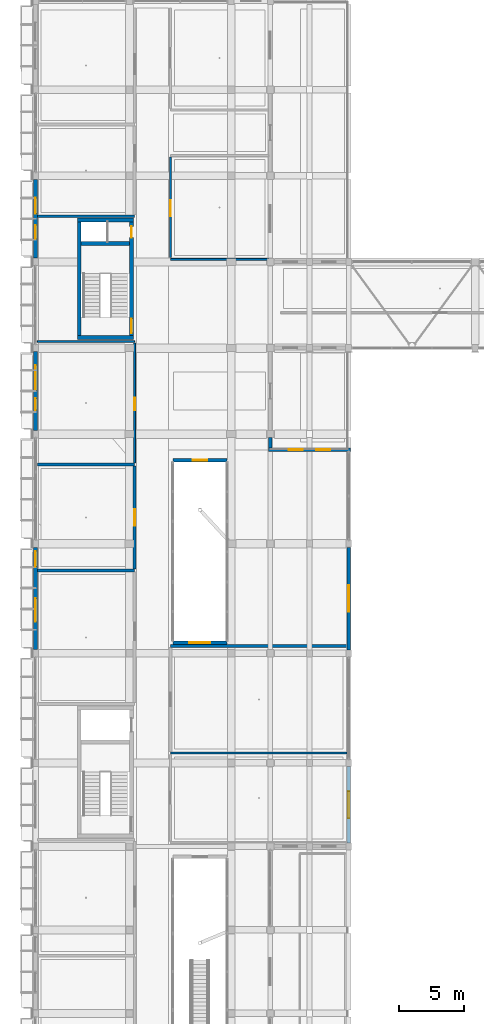
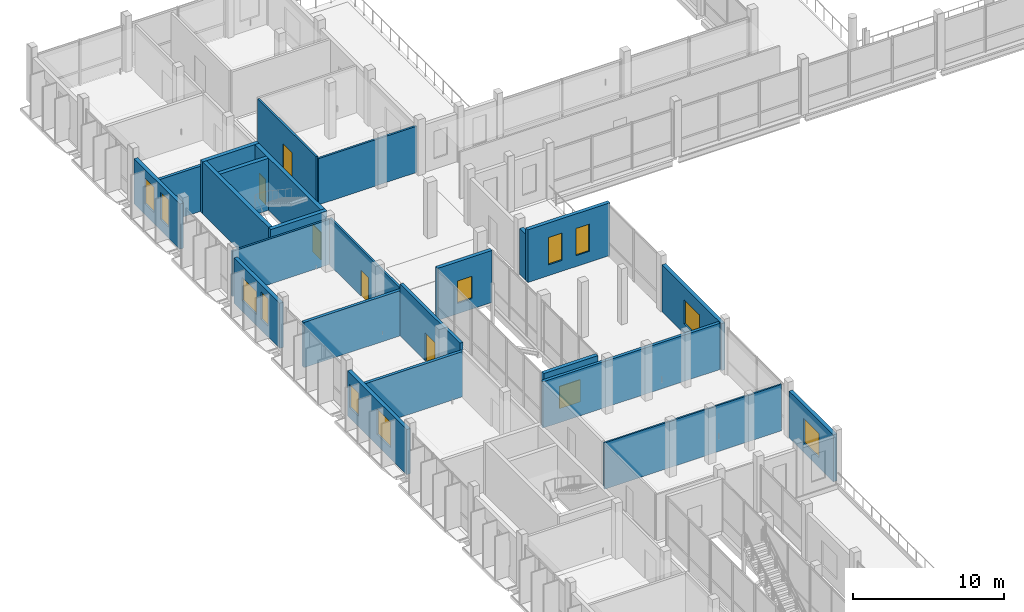
# One storey, part 58 of 95: 24 walls, 12 windows, 5 doors, 17 openings.
"""IFC4 building model written with IfcOpenShell, lengths in metres."""

from ifc_helpers import new_model, si_unit, derived_unit, direction, frame, frame_2d, origin, origin_with_axes, place, context, subcontext, project, spatial, rectangle, extrude, material, layer, layer_set, type_object, element, fill, save


model = new_model("IFC4")

# Units and contexts
model_context = context("Model", 3, precision=1e-05, world=origin(), true_north=direction((0.0, 1.0)))
body_context = subcontext(model_context, "Body", "Model", "MODEL_VIEW")
ifc_project = project(units=[si_unit("LENGTHUNIT", "METRE"), si_unit("AREAUNIT", "SQUARE_METRE"), si_unit("VOLUMEUNIT", "CUBIC_METRE"), si_unit("PLANEANGLEUNIT", "RADIAN"), si_unit("MASSUNIT", "GRAM", prefix="KILO"), derived_unit("THERMALTRANSMITTANCEUNIT", [(si_unit("POWERUNIT", "WATT"), 1), (si_unit("LENGTHUNIT", "METRE"), -2), (si_unit("THERMODYNAMICTEMPERATUREUNIT", "KELVIN"), -1)])], contexts=[model_context])

# Site, building, storey
site_placement = place(None, origin())
site = spatial("IfcSite", under=ifc_project, at=site_placement, CompositionType="ELEMENT")
building_placement = place(site_placement, origin())
building = spatial("IfcBuilding", under=site, at=building_placement, Name="Braskholm Square Health Centre", CompositionType="ELEMENT")
storey_placement = place(building_placement, frame((0.0, 0.0, 4.800048828125)))
storey = spatial("IfcBuildingStorey", under=building, at=storey_placement, Name="L02", CompositionType="ELEMENT", Elevation=4.800048828125)

# Wall
ifc_material_1 = material(Name="Acoustic gypsum board partition")
ifc_layer_1 = layer(ifc_material_1, 0.125)
ifc_layer_set_1 = layer_set([ifc_layer_1], Name="Acoustic gypsum board partition")
wall_type_1 = type_object("IfcWallType", Name="ClinicalExamPartition125", PredefinedType="PARTITIONING", material=ifc_layer_set_1)
wall_1_placement = place(storey_placement, frame((14.550048828125, 56.159912109375, 0.0), z_axis=(0.0, 0.0, 1.0), x_axis=(1.0, 0.0, 0.0)))
element("IfcWall", 1, at=wall_1_placement, inside=storey, type_object=wall_type_1, Name="Interior partition PWALL-L02-0102", PredefinedType="PARTITIONING", context=body_context, shape_type="SweptSolid", body=[
    extrude(rectangle(XDim=13.510009765625, YDim=0.125, at=frame_2d((6.7548828125, 0.0))), origin(), (0.0, 0.0, 1.0), 3.73486328125),
])

# Wall, opening, door
ifc_layer_2 = layer(ifc_material_1, 0.14990234375)
ifc_layer_set_2 = layer_set([ifc_layer_2], Name="Acoustic gypsum board partition")
wall_type_2 = type_object("IfcWallType", Name="CorridorAcousticPartition150", PredefinedType="PARTITIONING", material=ifc_layer_set_2)
wall_2_placement = place(storey_placement, frame((11.800048828125, 78.39990234375, 0.0), z_axis=(0.0, 0.0, 1.0), x_axis=(0.0, 1.0, 0.0)))
wall_2 = element("IfcWall", 2, at=wall_2_placement, inside=storey, type_object=wall_type_2, Name="Interior partition PWALL-L02-0087", PredefinedType="PARTITIONING", context=body_context, shape_type="SweptSolid", body=[
    extrude(rectangle(XDim=9.18017578125, YDim=0.14990234375, at=frame_2d((4.590087890625, 0.0))), origin(), (0.0, 0.0, 1.0), 3.794921875),
])
opening_1_placement = place(wall_2_placement, frame((4.02490234375, 0.0, 0.0)))
opening_1 = element("IfcOpeningElement", 3, at=opening_1_placement, cuts=wall_2, Name="Opening D-10", PredefinedType="OPENING", context=body_context, shape_type="SweptSolid", body=[
    extrude(rectangle(XDim=0.97998046875, YDim=2.1201171875, at=frame_2d((0.489990234375, 1.06005859375))), frame((0.0, 0.0849609375, 0.0), z_axis=(0.0, -1.0, 0.0), x_axis=(1.0, 0.0, 0.0)), (0.0, 0.0, 1.0), 0.169921875),
])
ifc_material_2 = material(Name="Architectural bronze anodised aluminium", Category="aluminium")
door_type_1 = type_object("IfcDoorType", Name="DoorUtilityStore980x2120", OperationType="NOTDEFINED", PredefinedType="DOOR", material=ifc_material_2)
door_1_placement = place(opening_1_placement, origin_with_axes())
door_1 = element("IfcDoor", 4, at=door_1_placement, inside=storey, type_object=door_type_1, Name="Interior door 0039 L02", OperationType="SINGLE_SWING_LEFT", OverallHeight=2.1201171875, OverallWidth=0.97998046875, PredefinedType="DOOR", context=body_context, shape_type="SweptSolid", body=[
    extrude(rectangle(XDim=0.97998046875, YDim=2.1201171875, at=frame_2d((0.489990234375, 1.06005859375))), frame((0.0, 0.02490234375, 0.0), z_axis=(0.0, -1.0, 0.0), x_axis=(1.0, 0.0, 0.0)), (0.0, 0.0, 1.0), 0.050048828125),
])
fill(opening_1, door_1)

# Wall
wall_3_placement = place(storey_placement, frame((4.340087890625, 87.699951171875, 0.0), z_axis=(0.0, 0.0, 1.0), x_axis=(1.0, 0.0, 0.0)))
element("IfcWall", 5, at=wall_3_placement, inside=storey, type_object=wall_type_2, Name="Interior partition PWALL-L02-0088", PredefinedType="PARTITIONING", context=body_context, shape_type="SweptSolid", body=[
    extrude(rectangle(XDim=7.4599609375, YDim=0.14990234375, at=frame_2d((3.72998046875, 0.0))), origin(), (0.0, 0.0, 1.0), 3.64501953125),
])

# Wall, opening, door
wall_4_placement = place(storey_placement, frame((14.550048828125, 94.1201171875, 0.0), z_axis=(0.0, 0.0, 1.0), x_axis=(0.0, 1.0, 0.0)))
wall_4 = element("IfcWall", 6, at=wall_4_placement, inside=storey, type_object=wall_type_2, Name="Interior partition PWALL-L02-0105", PredefinedType="PARTITIONING", context=body_context, shape_type="SweptSolid", body=[
    extrude(rectangle(XDim=7.7099609375, YDim=0.14990234375, at=frame_2d((3.85498046875, 0.0))), origin(), (0.0, 0.0, 1.0), 3.794921875),
])
opening_2_placement = place(wall_4_placement, frame((3.16796875, 0.0, 0.0)))
opening_2 = element("IfcOpeningElement", 7, at=opening_2_placement, cuts=wall_4, Name="Opening D-04", PredefinedType="OPENING", context=body_context, shape_type="SweptSolid", body=[
    extrude(rectangle(XDim=1.219970703125, YDim=2.199951171875, at=frame_2d((0.60986328125, 1.10009765625))), frame((0.0, 0.0849609375, 0.0), z_axis=(0.0, -1.0, 0.0), x_axis=(1.0, 0.0, 0.0)), (0.0, 0.0, 1.0), 0.169921875),
])
door_type_2 = type_object("IfcDoorType", Name="DoorBariatricExam1220x2200", OperationType="NOTDEFINED", PredefinedType="DOOR", material=ifc_material_2)
door_2_placement = place(opening_2_placement, frame((1.219970703125, 0.0, 0.0), z_axis=(0.0, 0.0, 1.0), x_axis=(-1.0, 0.0, 0.0)))
door_2 = element("IfcDoor", 8, at=door_2_placement, inside=storey, type_object=door_type_2, Name="Interior door 0048 L02", OperationType="SINGLE_SWING_LEFT", OverallHeight=2.199951171875, OverallWidth=1.219970703125, PredefinedType="DOOR", context=body_context, shape_type="SweptSolid", body=[
    extrude(rectangle(XDim=1.219970703125, YDim=2.199951171875, at=frame_2d((0.60986328125, 1.10009765625))), frame((0.0, 0.02490234375, 0.0), z_axis=(0.0, -1.0, 0.0), x_axis=(1.0, 0.0, 0.0)), (0.0, 0.0, 1.0), 0.050048828125),
])
fill(opening_2, door_2)

# Wall
wall_5_placement = place(storey_placement, frame((14.550048828125, 94.0, 0.0), z_axis=(0.0, 0.0, 1.0), x_axis=(1.0, 0.0, 0.0)))
element("IfcWall", 9, at=wall_5_placement, inside=storey, type_object=wall_type_2, Name="Interior partition PWALL-L02-0106", PredefinedType="PARTITIONING", context=body_context, shape_type="SweptSolid", body=[
    extrude(rectangle(XDim=7.510009765625, YDim=0.14990234375, at=frame_2d((3.7548828125, 0.0))), origin(), (0.0, 0.0, 1.0), 3.73486328125),
])

# Wall, openings, windows
ifc_material_3 = material(Name="Precast concrete C40/50 architectural white", Category="concrete")
ifc_layer_3 = layer(ifc_material_3, 0.280029296875)
ifc_layer_set_3 = layer_set([ifc_layer_3], Name="Precast concrete C40/50 architectural white")
wall_type_3 = type_object("IfcWallType", Name="ExteriorPrecastSpandrelWall280", PredefinedType="SOLIDWALL", material=ifc_layer_set_3)
wall_6_placement = place(storey_placement, frame((4.199951171875, 71.91796875, 0.0), z_axis=(0.0, 0.0, 1.0), x_axis=(0.0, -1.0, 0.0)))
wall_6 = element("IfcWall", 10, at=wall_6_placement, inside=storey, type_object=wall_type_3, Name="Exterior wall EWALL-L02-0016", PredefinedType="SOLIDWALL", context=body_context, shape_type="SweptSolid", body=[
    extrude(rectangle(XDim=7.8359375, YDim=0.280029296875, at=frame_2d((3.91796875, 0.0))), origin(), (0.0, 0.0, 1.0), 3.64990234375),
])
opening_3_placement = place(wall_6_placement, frame((0.282958984375, 0.0, 0.8798828125)))
opening_3 = element("IfcOpeningElement", 11, at=opening_3_placement, cuts=wall_6, Name="Opening WN-07", PredefinedType="OPENING", context=body_context, shape_type="SweptSolid", body=[
    extrude(rectangle(XDim=1.199951171875, YDim=1.85009765625, at=frame_2d((0.60009765625, 0.925048828125))), frame((0.0, 0.14990234375, 0.0), z_axis=(0.0, -1.0, 0.0), x_axis=(1.0, 0.0, 0.0)), (0.0, 0.0, 1.0), 0.300048828125),
])
opening_4_placement = place(wall_6_placement, frame((3.9130859375, 0.0, 0.8798828125)))
opening_4 = element("IfcOpeningElement", 12, at=opening_4_placement, cuts=wall_6, Name="Opening WN-16", PredefinedType="OPENING", context=body_context, shape_type="SweptSolid", body=[
    extrude(rectangle(XDim=1.800048828125, YDim=2.050048828125, at=frame_2d((0.89990234375, 1.02490234375))), frame((0.0, 0.14990234375, 0.0), z_axis=(0.0, -1.0, 0.0), x_axis=(1.0, 0.0, 0.0)), (0.0, 0.0, 1.0), 0.300048828125),
])
ifc_material_4 = material(Name="Low-E triple insulating glass (VLT 0.64)", Category="glass")
window_type_1 = type_object("IfcWindowType", Name="WinClinicalBay1200x1850", PartitioningType="SINGLE_PANEL", PredefinedType="WINDOW", material=ifc_material_4)
window_1_placement = place(opening_3_placement, origin_with_axes())
window_1 = element("IfcWindow", 13, at=window_1_placement, inside=storey, type_object=window_type_1, Name="Exterior window 0028 L02", OverallHeight=1.85009765625, OverallWidth=1.199951171875, PartitioningType="SINGLE_PANEL", PredefinedType="WINDOW", context=body_context, shape_type="SweptSolid", body=[
    extrude(rectangle(XDim=1.199951171875, YDim=1.85009765625, at=frame_2d((0.60009765625, 0.925048828125))), frame((0.0, 0.030029296875, 0.0), z_axis=(0.0, -1.0, 0.0), x_axis=(1.0, 0.0, 0.0)), (0.0, 0.0, 1.0), 0.06005859375),
])
fill(opening_3, window_1)
window_type_2 = type_object("IfcWindowType", Name="WinClinicalTall1800x2050", PartitioningType="SINGLE_PANEL", PredefinedType="WINDOW", material=ifc_material_4)
window_2_placement = place(opening_4_placement, origin_with_axes())
window_2 = element("IfcWindow", 14, at=window_2_placement, inside=storey, type_object=window_type_2, Name="Exterior window 0029 L02", OverallHeight=2.050048828125, OverallWidth=1.800048828125, PartitioningType="SINGLE_PANEL", PredefinedType="WINDOW", context=body_context, shape_type="SweptSolid", body=[
    extrude(rectangle(XDim=1.800048828125, YDim=2.050048828125, at=frame_2d((0.89990234375, 1.02490234375))), frame((0.0, 0.030029296875, 0.0), z_axis=(0.0, -1.0, 0.0), x_axis=(1.0, 0.0, 0.0)), (0.0, 0.0, 1.0), 0.06005859375),
])
fill(opening_4, window_2)

wall_7_placement = place(storey_placement, frame((4.199951171875, 86.91796875, 0.0), z_axis=(0.0, 0.0, 1.0), x_axis=(0.0, -1.0, 0.0)))
wall_7 = element("IfcWall", 15, at=wall_7_placement, inside=storey, type_object=wall_type_3, Name="Exterior wall EWALL-L02-0017", PredefinedType="SOLIDWALL", context=body_context, shape_type="SweptSolid", body=[
    extrude(rectangle(XDim=6.035888671875, YDim=0.280029296875, at=frame_2d((3.01806640625, 0.0))), origin(), (0.0, 0.0, 1.0), 3.64990234375),
])
opening_5_placement = place(wall_7_placement, frame((1.037109375, 0.0, 0.8798828125)))
opening_5 = element("IfcOpeningElement", 16, at=opening_5_placement, cuts=wall_7, Name="Opening WN-12", PredefinedType="OPENING", context=body_context, shape_type="SweptSolid", body=[
    extrude(rectangle(XDim=1.949951171875, YDim=1.85009765625, at=frame_2d((0.97509765625, 0.925048828125))), frame((0.0, 0.14990234375, 0.0), z_axis=(0.0, -1.0, 0.0), x_axis=(1.0, 0.0, 0.0)), (0.0, 0.0, 1.0), 0.300048828125),
])
opening_6_placement = place(wall_7_placement, frame((3.573974609375, 0.0, 0.8798828125)))
opening_6 = element("IfcOpeningElement", 17, at=opening_6_placement, cuts=wall_7, Name="Opening WN-01", PredefinedType="OPENING", context=body_context, shape_type="SweptSolid", body=[
    extrude(rectangle(XDim=0.89990234375, YDim=2.199951171875, at=frame_2d((0.449951171875, 1.10009765625))), frame((0.0, 0.14990234375, 0.0), z_axis=(0.0, -1.0, 0.0), x_axis=(1.0, 0.0, 0.0)), (0.0, 0.0, 1.0), 0.300048828125),
])
window_type_3 = type_object("IfcWindowType", Name="WinArtDecoLancet900x2200", PartitioningType="SINGLE_PANEL", PredefinedType="WINDOW", material=ifc_material_4)
window_3_placement = place(opening_6_placement, origin_with_axes())
window_3 = element("IfcWindow", 18, at=window_3_placement, inside=storey, type_object=window_type_3, Name="Exterior window 0031 L02", OverallHeight=2.199951171875, OverallWidth=0.89990234375, PartitioningType="SINGLE_PANEL", PredefinedType="WINDOW", context=body_context, shape_type="SweptSolid", body=[
    extrude(rectangle(XDim=0.89990234375, YDim=2.199951171875, at=frame_2d((0.449951171875, 1.10009765625))), frame((0.0, 0.030029296875, 0.0), z_axis=(0.0, -1.0, 0.0), x_axis=(1.0, 0.0, 0.0)), (0.0, 0.0, 1.0), 0.06005859375),
])
fill(opening_6, window_3)
window_type_4 = type_object("IfcWindowType", Name="WinClinicalBay1950x1850", PartitioningType="SINGLE_PANEL", PredefinedType="WINDOW", material=ifc_material_4)
window_4_placement = place(opening_5_placement, origin_with_axes())
window_4 = element("IfcWindow", 19, at=window_4_placement, inside=storey, type_object=window_type_4, Name="Exterior window 0030 L02", OverallHeight=1.85009765625, OverallWidth=1.949951171875, PartitioningType="SINGLE_PANEL", PredefinedType="WINDOW", context=body_context, shape_type="SweptSolid", body=[
    extrude(rectangle(XDim=1.949951171875, YDim=1.85009765625, at=frame_2d((0.97509765625, 0.925048828125))), frame((0.0, 0.030029296875, 0.0), z_axis=(0.0, -1.0, 0.0), x_axis=(1.0, 0.0, 0.0)), (0.0, 0.0, 1.0), 0.06005859375),
])
fill(opening_5, window_4)

wall_8_placement = place(storey_placement, frame((4.199951171875, 100.117919921875, 0.0), z_axis=(0.0, 0.0, 1.0), x_axis=(0.0, -1.0, 0.0)))
wall_8 = element("IfcWall", 20, at=wall_8_placement, inside=storey, type_object=wall_type_3, Name="Exterior wall EWALL-L02-0018", PredefinedType="SOLIDWALL", context=body_context, shape_type="SweptSolid", body=[
    extrude(rectangle(XDim=6.035888671875, YDim=0.280029296875, at=frame_2d((3.01806640625, 0.0))), origin(), (0.0, 0.0, 1.0), 3.64990234375),
])
opening_7_placement = place(wall_8_placement, frame((1.412109375, 0.0, 0.8798828125)))
opening_7 = element("IfcOpeningElement", 21, at=opening_7_placement, cuts=wall_8, Name="Opening WN-13", PredefinedType="OPENING", context=body_context, shape_type="SweptSolid", body=[
    extrude(rectangle(XDim=1.199951171875, YDim=2.050048828125, at=frame_2d((0.60009765625, 1.02490234375))), frame((0.0, 0.14990234375, 0.0), z_axis=(0.0, -1.0, 0.0), x_axis=(1.0, 0.0, 0.0)), (0.0, 0.0, 1.0), 0.300048828125),
])
opening_8_placement = place(wall_8_placement, frame((3.4990234375, 0.0, 0.8798828125)))
opening_8 = element("IfcOpeningElement", 22, at=opening_8_placement, cuts=wall_8, Name="Opening WN-02", PredefinedType="OPENING", context=body_context, shape_type="SweptSolid", body=[
    extrude(rectangle(XDim=1.050048828125, YDim=2.199951171875, at=frame_2d((0.52490234375, 1.10009765625))), frame((0.0, 0.14990234375, 0.0), z_axis=(0.0, -1.0, 0.0), x_axis=(1.0, 0.0, 0.0)), (0.0, 0.0, 1.0), 0.300048828125),
])
window_type_5 = type_object("IfcWindowType", Name="WinArtDecoLancet1050x2200", PartitioningType="SINGLE_PANEL", PredefinedType="WINDOW", material=ifc_material_4)
window_5_placement = place(opening_8_placement, origin_with_axes())
window_5 = element("IfcWindow", 23, at=window_5_placement, inside=storey, type_object=window_type_5, Name="Exterior window 0033 L02", OverallHeight=2.199951171875, OverallWidth=1.050048828125, PartitioningType="SINGLE_PANEL", PredefinedType="WINDOW", context=body_context, shape_type="SweptSolid", body=[
    extrude(rectangle(XDim=1.050048828125, YDim=2.199951171875, at=frame_2d((0.52490234375, 1.10009765625))), frame((0.0, 0.030029296875, 0.0), z_axis=(0.0, -1.0, 0.0), x_axis=(1.0, 0.0, 0.0)), (0.0, 0.0, 1.0), 0.06005859375),
])
fill(opening_8, window_5)
window_type_6 = type_object("IfcWindowType", Name="WinClinicalTall1200x2050", PartitioningType="SINGLE_PANEL", PredefinedType="WINDOW", material=ifc_material_4)
window_6_placement = place(opening_7_placement, origin_with_axes())
window_6 = element("IfcWindow", 24, at=window_6_placement, inside=storey, type_object=window_type_6, Name="Exterior window 0032 L02", OverallHeight=2.050048828125, OverallWidth=1.199951171875, PartitioningType="SINGLE_PANEL", PredefinedType="WINDOW", context=body_context, shape_type="SweptSolid", body=[
    extrude(rectangle(XDim=1.199951171875, YDim=2.050048828125, at=frame_2d((0.60009765625, 1.02490234375))), frame((0.0, 0.030029296875, 0.0), z_axis=(0.0, -1.0, 0.0), x_axis=(1.0, 0.0, 0.0)), (0.0, 0.0, 1.0), 0.06005859375),
])
fill(opening_7, window_6)

# Wall, opening, window
wall_9_placement = place(storey_placement, frame((28.199951171875, 49.27197265625, 0.0), z_axis=(0.0, 0.0, 1.0), x_axis=(0.0, 1.0, 0.0)))
wall_9 = element("IfcWall", 25, at=wall_9_placement, inside=storey, type_object=wall_type_3, Name="Exterior wall EWALL-L02-0112", PredefinedType="SOLIDWALL", context=body_context, shape_type="SweptSolid", body=[
    extrude(rectangle(XDim=5.85595703125, YDim=0.280029296875, at=frame_2d((2.927978515625, 0.0))), origin(), (0.0, 0.0, 1.0), 3.7900390625),
])
opening_9_placement = place(wall_9_placement, frame((1.903076171875, 0.0, 0.800048828125)))
opening_9 = element("IfcOpeningElement", 26, at=opening_9_placement, cuts=wall_9, Name="Opening WN-25", PredefinedType="OPENING", context=body_context, shape_type="SweptSolid", body=[
    extrude(rectangle(XDim=2.050048828125, YDim=1.949951171875, at=frame_2d((1.02490234375, 0.97509765625))), frame((0.0, 0.14990234375, 0.0), z_axis=(0.0, -1.0, 0.0), x_axis=(1.0, 0.0, 0.0)), (0.0, 0.0, 1.0), 0.300048828125),
])
window_type_7 = type_object("IfcWindowType", Name="WinValleyTerrace2050x1950", PartitioningType="SINGLE_PANEL", PredefinedType="WINDOW", material=ifc_material_4)
window_7_placement = place(opening_9_placement, origin_with_axes())
window_7 = element("IfcWindow", 27, at=window_7_placement, inside=storey, type_object=window_type_7, Name="Exterior window 0182 L02", OverallHeight=1.949951171875, OverallWidth=2.050048828125, PartitioningType="SINGLE_PANEL", PredefinedType="WINDOW", context=body_context, shape_type="SweptSolid", body=[
    extrude(rectangle(XDim=2.050048828125, YDim=1.949951171875, at=frame_2d((1.02490234375, 0.97509765625))), frame((0.0, 0.030029296875, 0.0), z_axis=(0.0, -1.0, 0.0), x_axis=(1.0, 0.0, 0.0)), (0.0, 0.0, 1.0), 0.06005859375),
])
fill(opening_9, window_7)

wall_10_placement = place(storey_placement, frame((28.199951171875, 64.072021484375, 0.0), z_axis=(0.0, 0.0, 1.0), x_axis=(0.0, 1.0, 0.0)))
wall_10 = element("IfcWall", 28, at=wall_10_placement, inside=storey, type_object=wall_type_3, Name="Exterior wall EWALL-L02-0113", PredefinedType="SOLIDWALL", context=body_context, shape_type="SweptSolid", body=[
    extrude(rectangle(XDim=7.85595703125, YDim=0.280029296875, at=frame_2d((3.927978515625, 0.0))), origin(), (0.0, 0.0, 1.0), 3.7900390625),
])
opening_10_placement = place(wall_10_placement, frame((2.903076171875, 0.0, 0.800048828125)))
opening_10 = element("IfcOpeningElement", 29, at=opening_10_placement, cuts=wall_10, Name="Opening WN-25", PredefinedType="OPENING", context=body_context, shape_type="SweptSolid", body=[
    extrude(rectangle(XDim=2.050048828125, YDim=1.949951171875, at=frame_2d((1.02490234375, 0.97509765625))), frame((0.0, 0.14990234375, 0.0), z_axis=(0.0, -1.0, 0.0), x_axis=(1.0, 0.0, 0.0)), (0.0, 0.0, 1.0), 0.300048828125),
])
window_8_placement = place(opening_10_placement, origin_with_axes())
window_8 = element("IfcWindow", 30, at=window_8_placement, inside=storey, type_object=window_type_7, Name="Exterior window 0183 L02", OverallHeight=1.949951171875, OverallWidth=2.050048828125, PartitioningType="SINGLE_PANEL", PredefinedType="WINDOW", context=body_context, shape_type="SweptSolid", body=[
    extrude(rectangle(XDim=2.050048828125, YDim=1.949951171875, at=frame_2d((1.02490234375, 0.97509765625))), frame((0.0, 0.030029296875, 0.0), z_axis=(0.0, -1.0, 0.0), x_axis=(1.0, 0.0, 0.0)), (0.0, 0.0, 1.0), 0.06005859375),
])
fill(opening_10, window_8)

# Wall
wall_11_placement = place(storey_placement, frame((22.199951171875, 79.5419921875, 0.0), z_axis=(0.0, 0.0, 1.0), x_axis=(0.0, 1.0, 0.0)))
element("IfcWall", 31, at=wall_11_placement, inside=storey, type_object=wall_type_3, Name="Exterior wall EWALL-L02-0114", PredefinedType="SOLIDWALL", context=body_context, shape_type="SweptSolid", body=[
    extrude(rectangle(XDim=0.781005859375, YDim=0.280029296875, at=frame_2d((0.390625, 0.0))), origin(), (0.0, 0.0, 1.0), 3.739990234375),
])

# Wall, openings, windows
wall_12_placement = place(storey_placement, frame((28.340087890625, 79.39990234375, 0.0), z_axis=(0.0, 0.0, 1.0), x_axis=(-1.0, 0.0, 0.0)))
wall_12 = element("IfcWall", 32, at=wall_12_placement, inside=storey, type_object=wall_type_3, Name="Exterior wall EWALL-L02-0219", PredefinedType="SOLIDWALL", context=body_context, shape_type="SweptSolid", body=[
    extrude(rectangle(XDim=6.280029296875, YDim=0.280029296875, at=frame_2d((3.14013671875, 0.0))), origin(), (0.0, 0.0, 1.0), 4.25),
])
opening_11_placement = place(wall_12_placement, frame((1.568115234375, 0.0, 0.8798828125)))
opening_11 = element("IfcOpeningElement", 33, at=opening_11_placement, cuts=wall_12, Name="Opening WN-02", PredefinedType="OPENING", context=body_context, shape_type="SweptSolid", body=[
    extrude(rectangle(XDim=1.050048828125, YDim=2.199951171875, at=frame_2d((0.52490234375, 1.10009765625))), frame((0.0, 0.14990234375, 0.0), z_axis=(0.0, -1.0, 0.0), x_axis=(1.0, 0.0, 0.0)), (0.0, 0.0, 1.0), 0.300048828125),
])
opening_12_placement = place(wall_12_placement, frame((3.662109375, 0.0, 0.8798828125)))
opening_12 = element("IfcOpeningElement", 34, at=opening_12_placement, cuts=wall_12, Name="Opening WN-02", PredefinedType="OPENING", context=body_context, shape_type="SweptSolid", body=[
    extrude(rectangle(XDim=1.050048828125, YDim=2.199951171875, at=frame_2d((0.52490234375, 1.10009765625))), frame((0.0, 0.14990234375, 0.0), z_axis=(0.0, -1.0, 0.0), x_axis=(1.0, 0.0, 0.0)), (0.0, 0.0, 1.0), 0.300048828125),
])
window_9_placement = place(opening_11_placement, origin_with_axes())
window_9 = element("IfcWindow", 35, at=window_9_placement, inside=storey, type_object=window_type_5, Name="Exterior window 0270 L02", OverallHeight=2.199951171875, OverallWidth=1.050048828125, PartitioningType="SINGLE_PANEL", PredefinedType="WINDOW", context=body_context, shape_type="SweptSolid", body=[
    extrude(rectangle(XDim=1.050048828125, YDim=2.199951171875, at=frame_2d((0.52490234375, 1.10009765625))), frame((0.0, 0.030029296875, 0.0), z_axis=(0.0, -1.0, 0.0), x_axis=(1.0, 0.0, 0.0)), (0.0, 0.0, 1.0), 0.06005859375),
])
fill(opening_11, window_9)
window_10_placement = place(opening_12_placement, origin_with_axes())
window_10 = element("IfcWindow", 36, at=window_10_placement, inside=storey, type_object=window_type_5, Name="Exterior window 0271 L02", OverallHeight=2.199951171875, OverallWidth=1.050048828125, PartitioningType="SINGLE_PANEL", PredefinedType="WINDOW", context=body_context, shape_type="SweptSolid", body=[
    extrude(rectangle(XDim=1.050048828125, YDim=2.199951171875, at=frame_2d((0.52490234375, 1.10009765625))), frame((0.0, 0.030029296875, 0.0), z_axis=(0.0, -1.0, 0.0), x_axis=(1.0, 0.0, 0.0)), (0.0, 0.0, 1.0), 0.06005859375),
])
fill(opening_12, window_10)

# Wall, opening, window
wall_13_placement = place(storey_placement, frame((18.865966796875, 64.60009765625, 0.0), z_axis=(0.0, 0.0, 1.0), x_axis=(-1.0, 0.0, 0.0)))
wall_13 = element("IfcWall", 37, at=wall_13_placement, inside=storey, type_object=wall_type_3, Name="Exterior wall EWALL-L02-0297", PredefinedType="SOLIDWALL", context=body_context, shape_type="SweptSolid", body=[
    extrude(rectangle(XDim=4.132080078125, YDim=0.280029296875, at=frame_2d((2.06591796875, 0.0))), origin(), (0.0, 0.0, 1.0), 4.199951171875),
])
opening_13_placement = place(wall_13_placement, frame((1.26611328125, 0.0, 0.85009765625)))
opening_13 = element("IfcOpeningElement", 38, at=opening_13_placement, cuts=wall_13, Name="Opening WN-27", PredefinedType="OPENING", context=body_context, shape_type="SweptSolid", body=[
    extrude(rectangle(XDim=1.60009765625, YDim=1.800048828125, at=frame_2d((0.800048828125, 0.89990234375))), frame((0.0, 0.14990234375, 0.0), z_axis=(0.0, -1.0, 0.0), x_axis=(1.0, 0.0, 0.0)), (0.0, 0.0, 1.0), 0.300048828125),
])
window_type_8 = type_object("IfcWindowType", Name="WinLightCourt1600x1800", PartitioningType="SINGLE_PANEL", PredefinedType="WINDOW", material=ifc_material_4)
window_11_placement = place(opening_13_placement, origin_with_axes())
window_11 = element("IfcWindow", 39, at=window_11_placement, inside=storey, type_object=window_type_8, Name="Exterior window 0343 L02", OverallHeight=1.800048828125, OverallWidth=1.60009765625, PartitioningType="SINGLE_PANEL", PredefinedType="WINDOW", context=body_context, shape_type="SweptSolid", body=[
    extrude(rectangle(XDim=1.60009765625, YDim=1.800048828125, at=frame_2d((0.800048828125, 0.89990234375))), frame((0.0, 0.030029296875, 0.0), z_axis=(0.0, -1.0, 0.0), x_axis=(1.0, 0.0, 0.0)), (0.0, 0.0, 1.0), 0.06005859375),
])
fill(opening_13, window_11)

wall_14_placement = place(storey_placement, frame((14.73388671875, 78.60009765625, 0.0), z_axis=(0.0, 0.0, 1.0), x_axis=(1.0, 0.0, 0.0)))
wall_14 = element("IfcWall", 40, at=wall_14_placement, inside=storey, type_object=wall_type_3, Name="Exterior wall EWALL-L02-0298", PredefinedType="SOLIDWALL", context=body_context, shape_type="SweptSolid", body=[
    extrude(rectangle(XDim=4.132080078125, YDim=0.280029296875, at=frame_2d((2.06591796875, 0.0))), origin(), (0.0, 0.0, 1.0), 4.199951171875),
])
opening_14_placement = place(wall_14_placement, frame((1.51611328125, 0.0, 0.85009765625)))
opening_14 = element("IfcOpeningElement", 41, at=opening_14_placement, cuts=wall_14, Name="Opening WN-26", PredefinedType="OPENING", context=body_context, shape_type="SweptSolid", body=[
    extrude(rectangle(XDim=1.10009765625, YDim=1.800048828125, at=frame_2d((0.550048828125, 0.89990234375))), frame((0.0, 0.14990234375, 0.0), z_axis=(0.0, -1.0, 0.0), x_axis=(1.0, 0.0, 0.0)), (0.0, 0.0, 1.0), 0.300048828125),
])
window_type_9 = type_object("IfcWindowType", Name="WinLightCourt1100x1800", PartitioningType="SINGLE_PANEL", PredefinedType="WINDOW", material=ifc_material_4)
window_12_placement = place(opening_14_placement, origin_with_axes())
window_12 = element("IfcWindow", 42, at=window_12_placement, inside=storey, type_object=window_type_9, Name="Exterior window 0344 L02", OverallHeight=1.800048828125, OverallWidth=1.10009765625, PartitioningType="SINGLE_PANEL", PredefinedType="WINDOW", context=body_context, shape_type="SweptSolid", body=[
    extrude(rectangle(XDim=1.10009765625, YDim=1.800048828125, at=frame_2d((0.550048828125, 0.89990234375))), frame((0.0, 0.030029296875, 0.0), z_axis=(0.0, -1.0, 0.0), x_axis=(1.0, 0.0, 0.0)), (0.0, 0.0, 1.0), 0.06005859375),
])
fill(opening_14, window_12)

# Wall
ifc_material_5 = material(Name="Fire-rated gypsum board barrier")
ifc_layer_4 = layer(ifc_material_5, 0.22509765625)
ifc_layer_set_4 = layer_set([ifc_layer_4], Name="Fire-rated gypsum board barrier")
wall_type_4 = type_object("IfcWallType", Name="ImagingShieldedWall225", PredefinedType="SOLIDWALL", material=ifc_layer_set_4)
wall_15_placement = place(storey_placement, frame((4.340087890625, 70.139892578125, 0.0), z_axis=(0.0, 0.0, 1.0), x_axis=(1.0, 0.0, 0.0)))
element("IfcWall", 43, at=wall_15_placement, inside=storey, type_object=wall_type_4, Name="Interior partition PWALL-L02-0083", PredefinedType="SOLIDWALL", context=body_context, shape_type="SweptSolid", body=[
    extrude(rectangle(XDim=7.4599609375, YDim=0.22509765625, at=frame_2d((3.72998046875, 0.0))), origin(), (0.0, 0.0, 1.0), 3.64501953125),
])

# Wall, opening, door
wall_16_placement = place(storey_placement, frame((11.800048828125, 70.260009765625, 0.0), z_axis=(0.0, 0.0, 1.0), x_axis=(0.0, 1.0, 0.0)))
wall_16 = element("IfcWall", 44, at=wall_16_placement, inside=storey, type_object=wall_type_4, Name="Interior partition PWALL-L02-0085", PredefinedType="SOLIDWALL", context=body_context, shape_type="SweptSolid", body=[
    extrude(rectangle(XDim=7.89990234375, YDim=0.22509765625, at=frame_2d((3.949951171875, 0.0))), origin(), (0.0, 0.0, 1.0), 4.195068359375),
])
opening_15_placement = place(wall_16_placement, frame((3.31005859375, 0.0, 0.0)))
opening_15 = element("IfcOpeningElement", 45, at=opening_15_placement, cuts=wall_16, Name="Opening D-20", PredefinedType="OPENING", context=body_context, shape_type="SweptSolid", body=[
    extrude(rectangle(XDim=1.280029296875, YDim=2.25, at=frame_2d((0.64013671875, 1.125))), frame((0.0, 0.12255859375, 0.0), z_axis=(0.0, -1.0, 0.0), x_axis=(1.0, 0.0, 0.0)), (0.0, 0.0, 1.0), 0.2451171875),
])
door_type_3 = type_object("IfcDoorType", Name="DoorLeadXRay1280x2250", OperationType="NOTDEFINED", PredefinedType="DOOR", material=ifc_material_2)
door_3_placement = place(opening_15_placement, origin_with_axes())
door_3 = element("IfcDoor", 46, at=door_3_placement, inside=storey, type_object=door_type_3, Name="Interior door 0038 L02", OperationType="SINGLE_SWING_RIGHT", OverallHeight=2.25, OverallWidth=1.280029296875, PredefinedType="DOOR", context=body_context, shape_type="SweptSolid", body=[
    extrude(rectangle(XDim=1.280029296875, YDim=2.25, at=frame_2d((0.64013671875, 1.125))), frame((0.0, 0.02490234375, 0.0), z_axis=(0.0, -1.0, 0.0), x_axis=(1.0, 0.0, 0.0)), (0.0, 0.0, 1.0), 0.050048828125),
])
fill(opening_15, door_3)

# Walls
for number, where, z_axis, x_axis, name in (
    (47, (4.340087890625, 78.280029296875, 0.0), (0.0, 0.0, 1.0), (1.0, 0.0, 0.0), "Interior partition PWALL-L02-0086"),
    (48, (4.340087890625, 97.300048828125, 0.0), (0.0, 0.0, 1.0), (1.0, 0.0, 0.0), "Interior partition PWALL-L02-0091"),
):
    element("IfcWall", number, at=place(storey_placement, frame(where, z_axis=z_axis, x_axis=x_axis)), inside=storey, type_object=wall_type_4, Name=name, PredefinedType="SOLIDWALL", context=body_context, shape_type="SweptSolid", body=[
        extrude(rectangle(XDim=7.4599609375, YDim=0.22509765625, at=frame_2d((3.72998046875, 0.0))), origin(), (0.0, 0.0, 1.0), 3.64501953125),
    ])
wall_17_placement = place(storey_placement, frame((14.550048828125, 64.35009765625, 0.0), z_axis=(0.0, 0.0, 1.0), x_axis=(1.0, 0.0, 0.0)))
element("IfcWall", 49, at=wall_17_placement, inside=storey, type_object=wall_type_4, Name="Interior partition PWALL-L02-0104", PredefinedType="SOLIDWALL", context=body_context, shape_type="SweptSolid", body=[
    extrude(rectangle(XDim=13.510009765625, YDim=0.22509765625, at=frame_2d((6.7548828125, 0.0))), origin(), (0.0, 0.0, 1.0), 3.73486328125),
])
ifc_material_6 = material(Name="Concrete C40/50 (f'c = 40 MPa)", Category="concrete")
ifc_layer_5 = layer(ifc_material_6, 0.300048828125)
ifc_layer_set_5 = layer_set([ifc_layer_5], Name="Concrete C40/50 (f'c = 40 MPa)")
wall_type_5 = type_object("IfcWallType", Name="ShearCoreWall300", PredefinedType="SHEAR", material=ifc_layer_set_5)
for number, where, z_axis, x_axis, name in (
    (50, (7.39990234375, 88.0, 0.0), (0.0, 0.0, 1.0), (1.0, 0.0, 0.0), "CWALL-K3-L02 south wall"),
    (51, (11.699951171875, 97.0, 0.0), (0.0, 0.0, 1.0), (-1.0, 0.0, 0.0), "CWALL-K3-L02 north wall"),
):
    element("IfcWall", number, at=place(storey_placement, frame(where, z_axis=z_axis, x_axis=x_axis)), inside=storey, type_object=wall_type_5, Name=name, PredefinedType="SHEAR", context=body_context, shape_type="SweptSolid", body=[
        extrude(rectangle(XDim=4.300048828125, YDim=0.300048828125, at=frame_2d((2.14990234375, 0.0))), origin(), (0.0, 0.0, 1.0), 4.199951171875),
    ])
wall_18_placement = place(storey_placement, frame((7.550048828125, 96.85009765625, 0.0), z_axis=(0.0, 0.0, 1.0), x_axis=(0.0, -1.0, 0.0)))
element("IfcWall", 52, at=wall_18_placement, inside=storey, type_object=wall_type_5, Name="CWALL-K3-L02 west wall", PredefinedType="SHEAR", context=body_context, shape_type="SweptSolid", body=[
    extrude(rectangle(XDim=8.7001953125, YDim=0.300048828125, at=frame_2d((4.35009765625, 0.0))), origin(), (0.0, 0.0, 1.0), 4.199951171875),
])

# Wall, openings, doors
wall_19_placement = place(storey_placement, frame((11.550048828125, 88.14990234375, 0.0), z_axis=(0.0, 0.0, 1.0), x_axis=(0.0, 1.0, 0.0)))
wall_19 = element("IfcWall", 53, at=wall_19_placement, inside=storey, type_object=wall_type_5, Name="CWALL-K3-L02 east wall", PredefinedType="SHEAR", context=body_context, shape_type="SweptSolid", body=[
    extrude(rectangle(XDim=8.7001953125, YDim=0.300048828125, at=frame_2d((4.35009765625, 0.0))), origin(), (0.0, 0.0, 1.0), 4.199951171875),
])
opening_16_placement = place(wall_19_placement, frame((0.199951171875, 0.0, 0.0)))
opening_16 = element("IfcOpeningElement", 54, at=opening_16_placement, cuts=wall_19, Name="Opening D-22", PredefinedType="OPENING", context=body_context, shape_type="SweptSolid", body=[
    extrude(rectangle(XDim=1.10009765625, YDim=2.199951171875, at=frame_2d((0.550048828125, 1.10009765625))), frame((0.0, 0.16015625, 0.0), z_axis=(0.0, -1.0, 0.0), x_axis=(1.0, 0.0, 0.0)), (0.0, 0.0, 1.0), 0.320068359375),
])
opening_17_placement = place(wall_19_placement, frame((7.52001953125, 0.0, 0.0)))
opening_17 = element("IfcOpeningElement", 55, at=opening_17_placement, cuts=wall_19, Name="Opening D-24", PredefinedType="OPENING", context=body_context, shape_type="SweptSolid", body=[
    extrude(rectangle(XDim=0.860107421875, YDim=2.050048828125, at=frame_2d((0.43017578125, 1.02490234375))), frame((0.0, 0.16015625, 0.0), z_axis=(0.0, -1.0, 0.0), x_axis=(1.0, 0.0, 0.0)), (0.0, 0.0, 1.0), 0.320068359375),
])
door_type_4 = type_object("IfcDoorType", Name="DoorRiserShaft860x2050", OperationType="NOTDEFINED", PredefinedType="DOOR", material=ifc_material_2)
door_4_placement = place(opening_17_placement, origin_with_axes())
door_4 = element("IfcDoor", 56, at=door_4_placement, inside=storey, type_object=door_type_4, Name="Core K3 service riser fire door L02", OperationType="SINGLE_SWING_RIGHT", OverallHeight=2.050048828125, OverallWidth=0.860107421875, PredefinedType="DOOR", context=body_context, shape_type="SweptSolid", body=[
    extrude(rectangle(XDim=0.860107421875, YDim=2.050048828125, at=frame_2d((0.43017578125, 1.02490234375))), frame((0.0, 0.02490234375, 0.0), z_axis=(0.0, -1.0, 0.0), x_axis=(1.0, 0.0, 0.0)), (0.0, 0.0, 1.0), 0.050048828125),
])
fill(opening_17, door_4)
door_type_5 = type_object("IfcDoorType", Name="DoorStairEnclosure1100x2200", OperationType="NOTDEFINED", PredefinedType="DOOR", material=ifc_material_2)
door_5_placement = place(opening_16_placement, origin_with_axes())
door_5 = element("IfcDoor", 57, at=door_5_placement, inside=storey, type_object=door_type_5, Name="Stair ST-03 door L02", OperationType="SINGLE_SWING_RIGHT", OverallHeight=2.199951171875, OverallWidth=1.10009765625, PredefinedType="DOOR", context=body_context, shape_type="SweptSolid", body=[
    extrude(rectangle(XDim=1.10009765625, YDim=2.199951171875, at=frame_2d((0.550048828125, 1.10009765625))), frame((0.0, 0.02490234375, 0.0), z_axis=(0.0, -1.0, 0.0), x_axis=(1.0, 0.0, 0.0)), (0.0, 0.0, 1.0), 0.050048828125),
])
fill(opening_16, door_5)

# Wall
wall_20_placement = place(storey_placement, frame((7.699951171875, 95.199951171875, 0.0), z_axis=(0.0, 0.0, 1.0), x_axis=(1.0, 0.0, 0.0)))
element("IfcWall", 58, at=wall_20_placement, inside=storey, type_object=wall_type_5, Name="Core K3 internal shear divider L02", PredefinedType="SHEAR", context=body_context, shape_type="SweptSolid", body=[
    extrude(rectangle(XDim=3.699951171875, YDim=0.300048828125, at=frame_2d((1.85009765625, 0.0))), origin(), (0.0, 0.0, 1.0), 4.199951171875),
])

save(model, "model.ifc")
